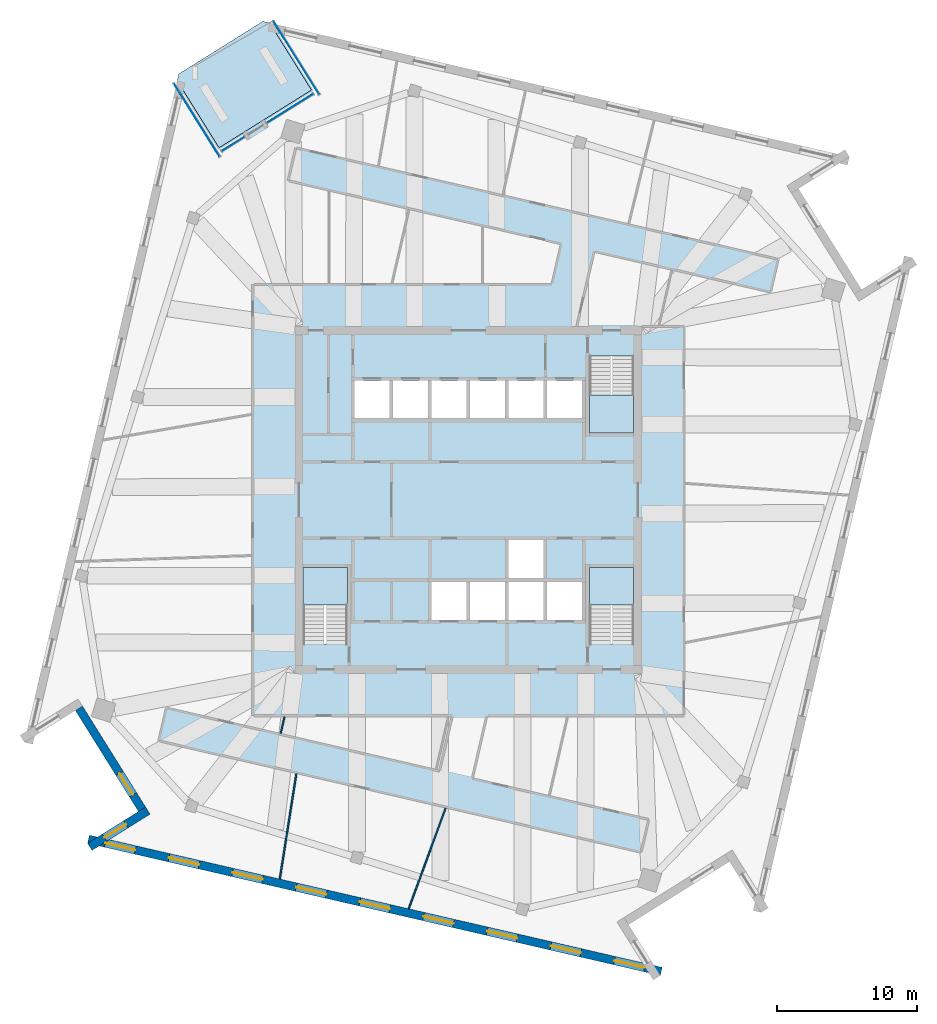
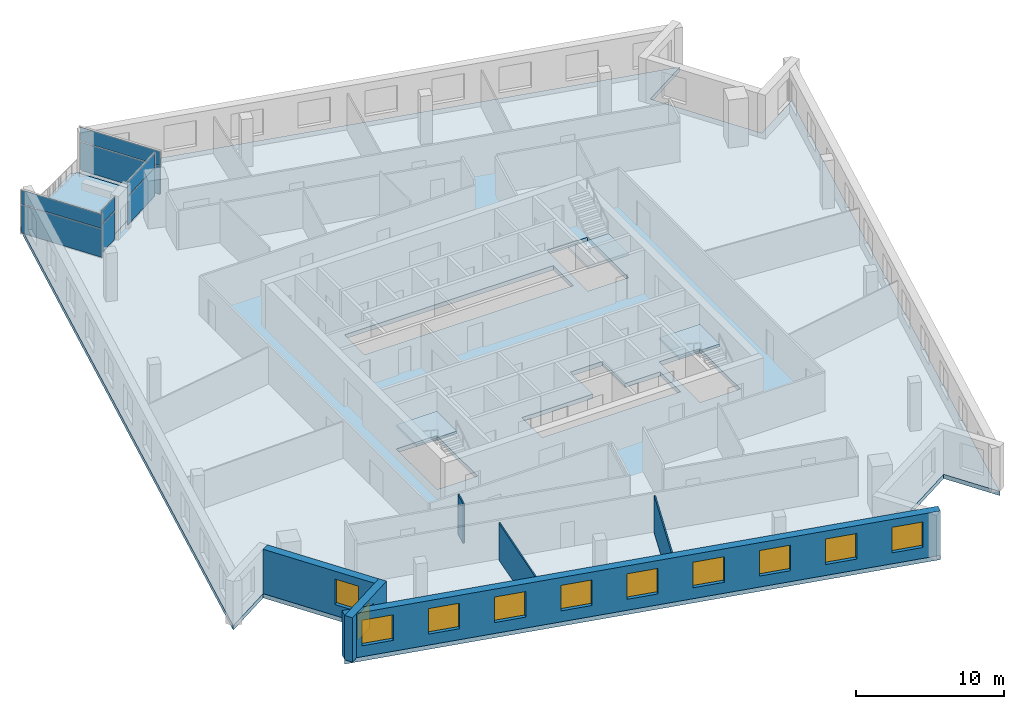
# One storey, part 5 of 14: 11 windows, 8 plates, 6 walls, 5 slabs, 11 openings, 7 elements without a shape of their own.
"""IFC4 building model written with IfcOpenShell, lengths in metres."""

from ifc_helpers import new_model, si_unit, direction, frame, frame_2d, origin, origin_2d, place, context, subcontext, project, spatial, polyline, rectangle, outline, extrude, material, layer, layer_set, type_object, element, fill, aggregate, save


model = new_model("IFC4")

# Units and contexts
model_context = context("Model", 3, precision=1e-05, world=origin(), true_north=direction((0.0, 1.0)))
body_context = subcontext(model_context, "Body", "Model", "MODEL_VIEW")
ifc_project = project(units=[si_unit("LENGTHUNIT", "METRE"), si_unit("AREAUNIT", "SQUARE_METRE"), si_unit("VOLUMEUNIT", "CUBIC_METRE"), si_unit("PLANEANGLEUNIT", "RADIAN"), si_unit("MASSUNIT", "GRAM", prefix="KILO")], contexts=[model_context])

# Site, building, storey
site_placement = place(None, origin())
site = spatial("IfcSite", under=ifc_project, at=site_placement, CompositionType="ELEMENT")
building_placement = place(site_placement, origin())
building = spatial("IfcBuilding", under=site, at=building_placement, Name="Dilmun Exchange Tower", CompositionType="ELEMENT")
storey_placement = place(building_placement, frame((0.0, 0.0, 332.5)))
storey = spatial("IfcBuildingStorey", under=building, at=storey_placement, Name="L79", CompositionType="ELEMENT", Elevation=332.5)

# Stair, slab
ifc_material_1 = material(Name="Concrete C40/50", Category="concrete")
stair_type = type_object("IfcStairType", Name="Exit stair 1500 half-turn", PredefinedType="HALF_TURN_STAIR", material=ifc_material_1)
stair_1_placement = place(storey_placement, origin())
stair_1 = element("IfcStair", 1, at=stair_1_placement, inside=storey, type_object=stair_type, Name="L79 Protected exit stair ST1", PredefinedType="HALF_TURN_STAIR")
ifc_layer_1 = layer(ifc_material_1, 0.199951171875)
ifc_layer_set_1 = layer_set([ifc_layer_1], Name="Concrete C40/50")
slab_type_1 = type_object("IfcSlabType", Name="Exit stair landing 200", PredefinedType="LANDING", material=ifc_layer_set_1)
slab_1_placement = place(storey_placement, frame((0.0, 0.0, 1.800048828125)))
slab_1 = element("IfcSlab", 2, at=slab_1_placement, type_object=slab_type_1, Name="ST1 landing 1", PredefinedType="LANDING", context=body_context, shape_type="SweptSolid", body=[
    extrude(outline(polyline([(8.64990234375, 7.5), (8.64990234375, 4.800048828125), (11.800048828125, 4.800048828125), (11.800048828125, 7.5), (8.64990234375, 7.5)])), origin(), (0.0, 0.0, 1.0), 0.199951171875),
])
aggregate(stair_1, [slab_1])

stair_2_placement = place(storey_placement, origin())
stair_2 = element("IfcStair", 3, at=stair_2_placement, inside=storey, type_object=stair_type, Name="L79 Protected exit stair ST2", PredefinedType="HALF_TURN_STAIR")
slab_2_placement = place(storey_placement, frame((0.0, 0.0, 1.800048828125)))
slab_2 = element("IfcSlab", 4, at=slab_2_placement, type_object=slab_type_1, Name="ST2 landing 1", PredefinedType="LANDING", context=body_context, shape_type="SweptSolid", body=[
    extrude(outline(polyline([(-8.64990234375, -7.5), (-8.64990234375, -4.800048828125), (-11.800048828125, -4.800048828125), (-11.800048828125, -7.5), (-8.64990234375, -7.5)])), origin(), (0.0, 0.0, 1.0), 0.199951171875),
])
aggregate(stair_2, [slab_2])

stair_3_placement = place(storey_placement, origin())
stair_3 = element("IfcStair", 5, at=stair_3_placement, inside=storey, type_object=stair_type, Name="L79 Protected exit stair ST3", PredefinedType="HALF_TURN_STAIR")
slab_3_placement = place(storey_placement, frame((0.0, 0.0, 1.800048828125)))
slab_3 = element("IfcSlab", 6, at=slab_3_placement, type_object=slab_type_1, Name="ST3 landing 1", PredefinedType="LANDING", context=body_context, shape_type="SweptSolid", body=[
    extrude(outline(polyline([(11.800048828125, -7.5), (11.800048828125, -4.800048828125), (8.64990234375, -4.800048828125), (8.64990234375, -7.5), (11.800048828125, -7.5)])), origin(), (0.0, 0.0, 1.0), 0.199951171875),
])
aggregate(stair_3, [slab_3])

# Curtain wall, plates
ifc_material_2 = material(Name="Anodised aluminium and clear glass", Category="aluminium")
curtain_wall_type = type_object("IfcCurtainWallType", Name="Garden corner glazing", PredefinedType="NOTDEFINED", material=ifc_material_2)
curtain_wall_1_placement = place(storey_placement, origin())
curtain_wall_1 = element("IfcCurtainWall", 7, at=curtain_wall_1_placement, inside=storey, type_object=curtain_wall_type, Name="Garden corner glazing run GC1.1", PredefinedType="NOTDEFINED")
ifc_material_3 = material(Name="Clear glass", Category="glass")
ifc_layer_2 = layer(ifc_material_3, 0.028076171875)
ifc_layer_set_2 = layer_set([ifc_layer_2], Name="Clear glass")
plate_type = type_object("IfcPlateType", Name="Garden corner glazing glass panel 28", PredefinedType="CURTAIN_PANEL", material=ifc_layer_set_2)
plate_1_placement = place(storey_placement, frame((-12.291015625, 31.577880859375, 0.06005859375), z_axis=(0.0, 0.0, 1.0), x_axis=(0.529916913426, -0.8480495651, 0.0)))
plate_1 = element("IfcPlate", 8, at=plate_1_placement, type_object=plate_type, Name="GC1.1 panel 1.1", PredefinedType="CURTAIN_PANEL", context=body_context, shape_type="SweptSolid", body=[
    extrude(rectangle(XDim=6.12646484375, YDim=0.028076171875, at=origin_2d()), origin(), (0.0, 0.0, 1.0), 2.31005859375),
])
plate_2_placement = place(storey_placement, frame((-12.291015625, 31.577880859375, 2.43017578125), z_axis=(0.0, 0.0, 1.0), x_axis=(0.529916913426, -0.8480495651, 0.0)))
plate_2 = element("IfcPlate", 9, at=plate_2_placement, type_object=plate_type, Name="GC1.1 panel 1.2", PredefinedType="CURTAIN_PANEL", context=body_context, shape_type="SweptSolid", body=[
    extrude(rectangle(XDim=6.12646484375, YDim=0.028076171875, at=origin_2d()), origin(), (0.0, 0.0, 1.0), 1.159912109375),
])
aggregate(curtain_wall_1, [plate_1, plate_2])

curtain_wall_2_placement = place(storey_placement, origin())
curtain_wall_2 = element("IfcCurtainWall", 10, at=curtain_wall_2_placement, inside=storey, type_object=curtain_wall_type, Name="Garden corner glazing run GC2.1", PredefinedType="NOTDEFINED")
plate_3_placement = place(storey_placement, frame((-12.74072265625, 27.9677734375, 0.06005859375), z_axis=(0.0, 0.0, 1.0), x_axis=(-0.848044776187, -0.529924577258, 0.0)))
plate_3 = element("IfcPlate", 11, at=plate_3_placement, type_object=plate_type, Name="GC2.1 panel 1.1", PredefinedType="CURTAIN_PANEL", context=body_context, shape_type="SweptSolid", body=[
    extrude(rectangle(XDim=3.869140625, YDim=0.028076171875, at=origin_2d()), origin(), (0.0, 0.0, 1.0), 2.31005859375),
])
plate_4_placement = place(storey_placement, frame((-12.74072265625, 27.9677734375, 2.43017578125), z_axis=(0.0, 0.0, 1.0), x_axis=(-0.848044776187, -0.529924577258, 0.0)))
plate_4 = element("IfcPlate", 12, at=plate_4_placement, type_object=plate_type, Name="GC2.1 panel 1.2", PredefinedType="CURTAIN_PANEL", context=body_context, shape_type="SweptSolid", body=[
    extrude(rectangle(XDim=3.869140625, YDim=0.028076171875, at=origin_2d()), origin(), (0.0, 0.0, 1.0), 1.159912109375),
])
aggregate(curtain_wall_2, [plate_3, plate_4])

curtain_wall_3_placement = place(storey_placement, origin())
curtain_wall_3 = element("IfcCurtainWall", 13, at=curtain_wall_3_placement, inside=storey, type_object=curtain_wall_type, Name="Garden corner glazing run GC2.3", PredefinedType="NOTDEFINED")
plate_5_placement = place(storey_placement, frame((-16.80224609375, 25.429931640625, 0.06005859375), z_axis=(0.0, 0.0, 1.0), x_axis=(-0.848068905763, -0.529885960447, 0.0)))
plate_5 = element("IfcPlate", 14, at=plate_5_placement, type_object=plate_type, Name="GC2.3 panel 1.1", PredefinedType="CURTAIN_PANEL", context=body_context, shape_type="SweptSolid", body=[
    extrude(rectangle(XDim=1.869140625, YDim=0.028076171875, at=origin_2d()), origin(), (0.0, 0.0, 1.0), 2.31005859375),
])
plate_6_placement = place(storey_placement, frame((-16.80224609375, 25.429931640625, 2.43017578125), z_axis=(0.0, 0.0, 1.0), x_axis=(-0.848068905763, -0.529885960447, 0.0)))
plate_6 = element("IfcPlate", 15, at=plate_6_placement, type_object=plate_type, Name="GC2.3 panel 1.2", PredefinedType="CURTAIN_PANEL", context=body_context, shape_type="SweptSolid", body=[
    extrude(rectangle(XDim=1.869140625, YDim=0.028076171875, at=origin_2d()), origin(), (0.0, 0.0, 1.0), 1.159912109375),
])
aggregate(curtain_wall_3, [plate_5, plate_6])

curtain_wall_4_placement = place(storey_placement, origin())
curtain_wall_4 = element("IfcCurtainWall", 16, at=curtain_wall_4_placement, inside=storey, type_object=curtain_wall_type, Name="Garden corner glazing run GC3.1", PredefinedType="NOTDEFINED")
plate_7_placement = place(storey_placement, frame((-19.39599609375, 27.13818359375, 0.06005859375), z_axis=(0.0, 0.0, 1.0), x_axis=(-0.529916913426, 0.8480495651, 0.0)))
plate_7 = element("IfcPlate", 17, at=plate_7_placement, type_object=plate_type, Name="GC3.1 panel 1.1", PredefinedType="CURTAIN_PANEL", context=body_context, shape_type="SweptSolid", body=[
    extrude(rectangle(XDim=6.12646484375, YDim=0.028076171875, at=origin_2d()), origin(), (0.0, 0.0, 1.0), 2.31005859375),
])
plate_8_placement = place(storey_placement, frame((-19.39599609375, 27.13818359375, 2.43017578125), z_axis=(0.0, 0.0, 1.0), x_axis=(-0.529916913426, 0.8480495651, 0.0)))
plate_8 = element("IfcPlate", 18, at=plate_8_placement, type_object=plate_type, Name="GC3.1 panel 1.2", PredefinedType="CURTAIN_PANEL", context=body_context, shape_type="SweptSolid", body=[
    extrude(rectangle(XDim=6.12646484375, YDim=0.028076171875, at=origin_2d()), origin(), (0.0, 0.0, 1.0), 1.159912109375),
])
aggregate(curtain_wall_4, [plate_7, plate_8])

# Slabs
ifc_layer_3 = layer(ifc_material_1, 0.35009765625)
ifc_layer_set_3 = layer_set([ifc_layer_3], Name="Concrete C40/50")
slab_type_2 = type_object("IfcSlabType", Name="RC floor slab 350", PredefinedType="FLOOR", material=ifc_layer_set_3)
slab_4_placement = place(storey_placement, frame((0.0, 0.0, -0.35009765625)))
element("IfcSlab", 19, at=slab_4_placement, inside=storey, type_object=slab_type_2, Name="Floor slab", PredefinedType="FLOOR", context=body_context, shape_type="SweptSolid", body=[
    extrude(outline(polyline([(23.56591796875, 22.238525390625), (28.070068359375, 15.030029296875), (31.70458984375, 17.301025390625), (20.91162109375, -29.448486328125), (18.640380859375, -25.814208984375), (11.43212890625, -30.318359375), (13.703125, -33.95263671875), (-27.2001953125, -24.509521484375), (-23.56591796875, -22.238525390625), (-28.070068359375, -15.030029296875), (-31.70458984375, -17.301025390625), (-20.796630859375, 29.94580078125), (-17.804443359375, 25.1572265625), (-11.208251953125, 29.279052734375), (-14.200439453125, 34.0673828125), (27.2001953125, 24.509521484375), (23.56591796875, 22.238525390625)]), holes=[polyline([(-8.64990234375, -4.800048828125), (-11.800048828125, -4.800048828125), (-11.800048828125, -10.294921875), (-8.64990234375, -10.294921875), (-8.64990234375, -4.800048828125)]), polyline([(11.800048828125, -4.800048828125), (8.64990234375, -4.800048828125), (8.64990234375, -10.294921875), (11.800048828125, -10.294921875), (11.800048828125, -4.800048828125)]), polyline([(2.875, -5.85009765625), (-2.625, -5.85009765625), (-2.625, -8.550048828125), (8.125, -8.550048828125), (8.125, -5.85009765625), (5.375, -5.85009765625), (5.375, -2.85009765625), (2.875, -2.85009765625), (2.875, -5.85009765625)]), polyline([(8.125, 5.85009765625), (8.125, 8.550048828125), (-8.125, 8.550048828125), (-8.125, 5.85009765625), (8.125, 5.85009765625)]), polyline([(8.64990234375, 10.294921875), (8.64990234375, 4.800048828125), (11.800048828125, 4.800048828125), (11.800048828125, 10.294921875), (8.64990234375, 10.294921875)])]), origin(), (0.0, 0.0, 1.0), 0.35009765625),
])
ifc_layer_4 = layer(ifc_material_1, 0.300048828125)
ifc_layer_set_4 = layer_set([ifc_layer_4], Name="Concrete C40/50")
slab_type_3 = type_object("IfcSlabType", Name="RC garden terrace slab 300", PredefinedType="FLOOR", material=ifc_layer_set_4)
slab_5_placement = place(storey_placement, frame((0.0, 0.0, -0.300048828125)))
element("IfcSlab", 20, at=slab_5_placement, inside=storey, type_object=slab_type_3, Name="Garden terrace slab", PredefinedType="FLOOR", context=body_context, shape_type="SweptSolid", body=[
    extrude(outline(polyline([(-17.804443359375, 25.1572265625), (-20.796630859375, 29.94580078125), (-20.68408203125, 30.432861328125), (-14.6875, 34.179931640625), (-14.200439453125, 34.0673828125), (-11.208251953125, 29.279052734375), (-17.804443359375, 25.1572265625)])), origin(), (0.0, 0.0, 1.0), 0.300048828125),
])

# Walls
ifc_material_4 = material(Name="Partition 100")
ifc_layer_5 = layer(ifc_material_4, 0.10009765625)
ifc_layer_set_5 = layer_set([ifc_layer_5], Name="Partition 100")
wall_type_1 = type_object("IfcWallType", Name="Partition 100", PredefinedType="PARTITIONING", material=ifc_layer_set_5)
wall_1_placement = place(storey_placement, frame((-13.47119140625, -27.061279296875, 0.0), z_axis=(0.0, 0.0, 1.0), x_axis=(0.155249458532, 0.987875298621, 0.0)))
element("IfcWall", 21, at=wall_1_placement, inside=storey, type_object=wall_type_1, Name="Partition", PredefinedType="PARTITIONING", context=body_context, shape_type="SweptSolid", body=[
    extrude(rectangle(XDim=7.61279296875, YDim=0.10009765625, at=frame_2d((3.806396484375, 0.0))), origin(), (0.0, 0.0, 1.0), 3.050048828125),
])
wall_2_placement = place(storey_placement, frame((-13.408203125, -16.661865234375, 0.0), z_axis=(0.0, 0.0, 1.0), x_axis=(0.22478562249, 0.974408242946, 0.0)))
element("IfcWall", 22, at=wall_2_placement, inside=storey, type_object=wall_type_1, Name="Partition", PredefinedType="PARTITIONING", context=body_context, shape_type="SweptSolid", body=[
    extrude(rectangle(XDim=1.20654296875, YDim=0.10009765625, at=frame_2d((0.603271484375, 0.0))), origin(), (0.0, 0.0, 1.0), 3.25),
])
wall_3_placement = place(storey_placement, frame((-4.267822265625, -29.18603515625, 0.0), z_axis=(0.0, 0.0, 1.0), x_axis=(0.345023473148, 0.938594056543, 0.0)))
element("IfcWall", 23, at=wall_3_placement, inside=storey, type_object=wall_type_1, Name="Partition", PredefinedType="PARTITIONING", context=body_context, shape_type="SweptSolid", body=[
    extrude(rectangle(XDim=7.64990234375, YDim=0.10009765625, at=frame_2d((3.824951171875, 0.0))), origin(), (0.0, 0.0, 1.0), 3.050048828125),
])

# Wall, opening, window
ifc_material_5 = material(Name="Precast concrete C50/60", Category="concrete")
ifc_layer_6 = layer(ifc_material_5, 0.60009765625)
ifc_layer_set_6 = layer_set([ifc_layer_6], Name="Precast concrete C50/60")
wall_type_2 = type_object("IfcWallType", Name="Precast stone-clad wall 600", PredefinedType="STANDARD", material=ifc_layer_set_6)
wall_4_placement = place(storey_placement, frame((-27.815673828125, -14.87109375, 0.0), z_axis=(0.0, 0.0, 1.0), x_axis=(0.529921485123, -0.848046708387, 0.0)))
wall_4 = element("IfcWall", 24, at=wall_4_placement, inside=storey, type_object=wall_type_2, Name="Facade wall L79-05", PredefinedType="STANDARD", context=body_context, shape_type="SweptSolid", body=[
    extrude(rectangle(XDim=8.5, YDim=0.60009765625, at=frame_2d((4.25, 0.0))), origin(), (0.0, 0.0, 1.0), 3.64990234375),
])
opening_1_placement = place(wall_4_placement, frame((5.47509765625, 0.0, 0.89990234375)))
opening_1 = element("IfcOpeningElement", 25, at=opening_1_placement, cuts=wall_4, Name="Opening W180-210", PredefinedType="OPENING", context=body_context, shape_type="SweptSolid", body=[
    extrude(rectangle(XDim=1.800048828125, YDim=2.10009765625, at=frame_2d((0.89990234375, 1.050048828125))), frame((0.0, 0.31005859375, 0.0), z_axis=(0.0, -1.0, 0.0), x_axis=(1.0, 0.0, 0.0)), (0.0, 0.0, 1.0), 0.6201171875),
])
ifc_material_6 = material(Name="Clear low-emissivity glass in aluminium frame", Category="aluminium")
window_type_1 = type_object("IfcWindowType", Name="Punched window 1800 x 2100", PartitioningType="DOUBLE_PANEL_VERTICAL", PredefinedType="WINDOW", material=ifc_material_6)
window_1_placement = place(opening_1_placement, origin())
window_1 = element("IfcWindow", 26, at=window_1_placement, inside=storey, type_object=window_type_1, Name="Window 6.2", OverallHeight=2.10009765625, OverallWidth=1.800048828125, PartitioningType="SINGLE_PANEL", PredefinedType="WINDOW", context=body_context, shape_type="SweptSolid", body=[
    extrude(rectangle(XDim=1.800048828125, YDim=2.10009765625, at=frame_2d((0.89990234375, 1.050048828125))), frame((0.0, 0.030029296875, 0.0), z_axis=(0.0, -1.0, 0.0), x_axis=(1.0, 0.0, 0.0)), (0.0, 0.0, 1.0), 0.06005859375),
])
fill(opening_1, window_1)

wall_5_placement = place(storey_placement, frame((-22.89794921875, -22.1748046875, 0.0), z_axis=(0.0, 0.0, 1.0), x_axis=(-0.848040410856, -0.529931563086, 0.0)))
wall_5 = element("IfcWall", 27, at=wall_5_placement, inside=storey, type_object=wall_type_2, Name="Facade wall L79-06", PredefinedType="STANDARD", context=body_context, shape_type="SweptSolid", body=[
    extrude(rectangle(XDim=4.8857421875, YDim=0.60009765625, at=frame_2d((2.44287109375, 0.0))), origin(), (0.0, 0.0, 1.0), 3.64990234375),
])
opening_2_placement = place(wall_5_placement, frame((1.8427734375, 0.0, 0.89990234375)))
opening_2 = element("IfcOpeningElement", 28, at=opening_2_placement, cuts=wall_5, Name="Opening W180-210", PredefinedType="OPENING", context=body_context, shape_type="SweptSolid", body=[
    extrude(rectangle(XDim=1.800048828125, YDim=2.10009765625, at=frame_2d((0.89990234375, 1.050048828125))), frame((0.0, 0.31005859375, 0.0), z_axis=(0.0, -1.0, 0.0), x_axis=(1.0, 0.0, 0.0)), (0.0, 0.0, 1.0), 0.6201171875),
])
window_2_placement = place(opening_2_placement, origin())
window_2 = element("IfcWindow", 29, at=window_2_placement, inside=storey, type_object=window_type_1, Name="Window 7.1", OverallHeight=2.10009765625, OverallWidth=1.800048828125, PartitioningType="SINGLE_PANEL", PredefinedType="WINDOW", context=body_context, shape_type="SweptSolid", body=[
    extrude(rectangle(XDim=1.800048828125, YDim=2.10009765625, at=frame_2d((0.89990234375, 1.050048828125))), frame((0.0, 0.030029296875, 0.0), z_axis=(0.0, -1.0, 0.0), x_axis=(1.0, 0.0, 0.0)), (0.0, 0.0, 1.0), 0.06005859375),
])
fill(opening_2, window_2)

# Wall, openings, windows
wall_6_placement = place(storey_placement, frame((-27.1328125, -24.21728515625, 0.0), z_axis=(0.0, 0.0, 1.0), x_axis=(0.974370901945, -0.224947428174, 0.0)))
wall_6 = element("IfcWall", 30, at=wall_6_placement, inside=storey, type_object=wall_type_2, Name="Facade wall L79-07", PredefinedType="STANDARD", context=body_context, shape_type="SweptSolid", body=[
    extrude(rectangle(XDim=41.979248046875, YDim=0.60009765625, at=frame_2d((20.98974609375, 0.0))), origin(), (0.0, 0.0, 1.0), 3.64990234375),
])
opening_3_placement = place(wall_6_placement, frame((1.232177734375, 0.0, 0.89990234375)))
opening_3 = element("IfcOpeningElement", 31, at=opening_3_placement, cuts=wall_6, Name="Opening W220-210", PredefinedType="OPENING", context=body_context, shape_type="SweptSolid", body=[
    extrude(rectangle(XDim=2.199951171875, YDim=2.10009765625, at=frame_2d((1.10009765625, 1.050048828125))), frame((0.0, 0.31005859375, 0.0), z_axis=(0.0, -1.0, 0.0), x_axis=(1.0, 0.0, 0.0)), (0.0, 0.0, 1.0), 0.6201171875),
])
opening_4_placement = place(wall_6_placement, frame((5.896484375, 0.0, 0.89990234375)))
opening_4 = element("IfcOpeningElement", 32, at=opening_4_placement, cuts=wall_6, Name="Opening W220-210", PredefinedType="OPENING", context=body_context, shape_type="SweptSolid", body=[
    extrude(rectangle(XDim=2.199951171875, YDim=2.10009765625, at=frame_2d((1.10009765625, 1.050048828125))), frame((0.0, 0.31005859375, 0.0), z_axis=(0.0, -1.0, 0.0), x_axis=(1.0, 0.0, 0.0)), (0.0, 0.0, 1.0), 0.6201171875),
])
opening_5_placement = place(wall_6_placement, frame((10.560791015625, 0.0, 0.89990234375)))
opening_5 = element("IfcOpeningElement", 33, at=opening_5_placement, cuts=wall_6, Name="Opening W220-210", PredefinedType="OPENING", context=body_context, shape_type="SweptSolid", body=[
    extrude(rectangle(XDim=2.199951171875, YDim=2.10009765625, at=frame_2d((1.10009765625, 1.050048828125))), frame((0.0, 0.31005859375, 0.0), z_axis=(0.0, -1.0, 0.0), x_axis=(1.0, 0.0, 0.0)), (0.0, 0.0, 1.0), 0.6201171875),
])
opening_6_placement = place(wall_6_placement, frame((15.22509765625, 0.0, 0.89990234375)))
opening_6 = element("IfcOpeningElement", 34, at=opening_6_placement, cuts=wall_6, Name="Opening W220-210", PredefinedType="OPENING", context=body_context, shape_type="SweptSolid", body=[
    extrude(rectangle(XDim=2.199951171875, YDim=2.10009765625, at=frame_2d((1.10009765625, 1.050048828125))), frame((0.0, 0.31005859375, 0.0), z_axis=(0.0, -1.0, 0.0), x_axis=(1.0, 0.0, 0.0)), (0.0, 0.0, 1.0), 0.6201171875),
])
opening_7_placement = place(wall_6_placement, frame((19.8896484375, 0.0, 0.89990234375)))
opening_7 = element("IfcOpeningElement", 35, at=opening_7_placement, cuts=wall_6, Name="Opening W220-210", PredefinedType="OPENING", context=body_context, shape_type="SweptSolid", body=[
    extrude(rectangle(XDim=2.199951171875, YDim=2.10009765625, at=frame_2d((1.10009765625, 1.050048828125))), frame((0.0, 0.31005859375, 0.0), z_axis=(0.0, -1.0, 0.0), x_axis=(1.0, 0.0, 0.0)), (0.0, 0.0, 1.0), 0.6201171875),
])
opening_8_placement = place(wall_6_placement, frame((24.553955078125, 0.0, 0.89990234375)))
opening_8 = element("IfcOpeningElement", 36, at=opening_8_placement, cuts=wall_6, Name="Opening W220-210", PredefinedType="OPENING", context=body_context, shape_type="SweptSolid", body=[
    extrude(rectangle(XDim=2.199951171875, YDim=2.10009765625, at=frame_2d((1.10009765625, 1.050048828125))), frame((0.0, 0.31005859375, 0.0), z_axis=(0.0, -1.0, 0.0), x_axis=(1.0, 0.0, 0.0)), (0.0, 0.0, 1.0), 0.6201171875),
])
opening_9_placement = place(wall_6_placement, frame((29.21826171875, 0.0, 0.89990234375)))
opening_9 = element("IfcOpeningElement", 37, at=opening_9_placement, cuts=wall_6, Name="Opening W220-210", PredefinedType="OPENING", context=body_context, shape_type="SweptSolid", body=[
    extrude(rectangle(XDim=2.199951171875, YDim=2.10009765625, at=frame_2d((1.10009765625, 1.050048828125))), frame((0.0, 0.31005859375, 0.0), z_axis=(0.0, -1.0, 0.0), x_axis=(1.0, 0.0, 0.0)), (0.0, 0.0, 1.0), 0.6201171875),
])
opening_10_placement = place(wall_6_placement, frame((33.8828125, 0.0, 0.89990234375)))
opening_10 = element("IfcOpeningElement", 38, at=opening_10_placement, cuts=wall_6, Name="Opening W220-210", PredefinedType="OPENING", context=body_context, shape_type="SweptSolid", body=[
    extrude(rectangle(XDim=2.199951171875, YDim=2.10009765625, at=frame_2d((1.10009765625, 1.050048828125))), frame((0.0, 0.31005859375, 0.0), z_axis=(0.0, -1.0, 0.0), x_axis=(1.0, 0.0, 0.0)), (0.0, 0.0, 1.0), 0.6201171875),
])
opening_11_placement = place(wall_6_placement, frame((38.547119140625, 0.0, 0.89990234375)))
opening_11 = element("IfcOpeningElement", 39, at=opening_11_placement, cuts=wall_6, Name="Opening W220-210", PredefinedType="OPENING", context=body_context, shape_type="SweptSolid", body=[
    extrude(rectangle(XDim=2.199951171875, YDim=2.10009765625, at=frame_2d((1.10009765625, 1.050048828125))), frame((0.0, 0.31005859375, 0.0), z_axis=(0.0, -1.0, 0.0), x_axis=(1.0, 0.0, 0.0)), (0.0, 0.0, 1.0), 0.6201171875),
])
window_type_2 = type_object("IfcWindowType", Name="Punched window 2200 x 2100", PartitioningType="DOUBLE_PANEL_VERTICAL", PredefinedType="WINDOW", material=ifc_material_6)
window_3_placement = place(opening_3_placement, origin())
window_3 = element("IfcWindow", 40, at=window_3_placement, inside=storey, type_object=window_type_2, Name="Window 8.1", OverallHeight=2.10009765625, OverallWidth=2.199951171875, PartitioningType="SINGLE_PANEL", PredefinedType="WINDOW", context=body_context, shape_type="SweptSolid", body=[
    extrude(rectangle(XDim=2.199951171875, YDim=2.10009765625, at=frame_2d((1.10009765625, 1.050048828125))), frame((0.0, 0.030029296875, 0.0), z_axis=(0.0, -1.0, 0.0), x_axis=(1.0, 0.0, 0.0)), (0.0, 0.0, 1.0), 0.06005859375),
])
fill(opening_3, window_3)
window_4_placement = place(opening_4_placement, origin())
window_4 = element("IfcWindow", 41, at=window_4_placement, inside=storey, type_object=window_type_2, Name="Window 8.2", OverallHeight=2.10009765625, OverallWidth=2.199951171875, PartitioningType="SINGLE_PANEL", PredefinedType="WINDOW", context=body_context, shape_type="SweptSolid", body=[
    extrude(rectangle(XDim=2.199951171875, YDim=2.10009765625, at=frame_2d((1.10009765625, 1.050048828125))), frame((0.0, 0.030029296875, 0.0), z_axis=(0.0, -1.0, 0.0), x_axis=(1.0, 0.0, 0.0)), (0.0, 0.0, 1.0), 0.06005859375),
])
fill(opening_4, window_4)
window_5_placement = place(opening_5_placement, origin())
window_5 = element("IfcWindow", 42, at=window_5_placement, inside=storey, type_object=window_type_2, Name="Window 8.3", OverallHeight=2.10009765625, OverallWidth=2.199951171875, PartitioningType="SINGLE_PANEL", PredefinedType="WINDOW", context=body_context, shape_type="SweptSolid", body=[
    extrude(rectangle(XDim=2.199951171875, YDim=2.10009765625, at=frame_2d((1.10009765625, 1.050048828125))), frame((0.0, 0.030029296875, 0.0), z_axis=(0.0, -1.0, 0.0), x_axis=(1.0, 0.0, 0.0)), (0.0, 0.0, 1.0), 0.06005859375),
])
fill(opening_5, window_5)
window_6_placement = place(opening_6_placement, origin())
window_6 = element("IfcWindow", 43, at=window_6_placement, inside=storey, type_object=window_type_2, Name="Window 8.4", OverallHeight=2.10009765625, OverallWidth=2.199951171875, PartitioningType="SINGLE_PANEL", PredefinedType="WINDOW", context=body_context, shape_type="SweptSolid", body=[
    extrude(rectangle(XDim=2.199951171875, YDim=2.10009765625, at=frame_2d((1.10009765625, 1.050048828125))), frame((0.0, 0.030029296875, 0.0), z_axis=(0.0, -1.0, 0.0), x_axis=(1.0, 0.0, 0.0)), (0.0, 0.0, 1.0), 0.06005859375),
])
fill(opening_6, window_6)
window_7_placement = place(opening_7_placement, origin())
window_7 = element("IfcWindow", 44, at=window_7_placement, inside=storey, type_object=window_type_2, Name="Window 8.5", OverallHeight=2.10009765625, OverallWidth=2.199951171875, PartitioningType="SINGLE_PANEL", PredefinedType="WINDOW", context=body_context, shape_type="SweptSolid", body=[
    extrude(rectangle(XDim=2.199951171875, YDim=2.10009765625, at=frame_2d((1.10009765625, 1.050048828125))), frame((0.0, 0.030029296875, 0.0), z_axis=(0.0, -1.0, 0.0), x_axis=(1.0, 0.0, 0.0)), (0.0, 0.0, 1.0), 0.06005859375),
])
fill(opening_7, window_7)
window_8_placement = place(opening_8_placement, origin())
window_8 = element("IfcWindow", 45, at=window_8_placement, inside=storey, type_object=window_type_2, Name="Window 8.6", OverallHeight=2.10009765625, OverallWidth=2.199951171875, PartitioningType="SINGLE_PANEL", PredefinedType="WINDOW", context=body_context, shape_type="SweptSolid", body=[
    extrude(rectangle(XDim=2.199951171875, YDim=2.10009765625, at=frame_2d((1.10009765625, 1.050048828125))), frame((0.0, 0.030029296875, 0.0), z_axis=(0.0, -1.0, 0.0), x_axis=(1.0, 0.0, 0.0)), (0.0, 0.0, 1.0), 0.06005859375),
])
fill(opening_8, window_8)
window_9_placement = place(opening_9_placement, origin())
window_9 = element("IfcWindow", 46, at=window_9_placement, inside=storey, type_object=window_type_2, Name="Window 8.7", OverallHeight=2.10009765625, OverallWidth=2.199951171875, PartitioningType="SINGLE_PANEL", PredefinedType="WINDOW", context=body_context, shape_type="SweptSolid", body=[
    extrude(rectangle(XDim=2.199951171875, YDim=2.10009765625, at=frame_2d((1.10009765625, 1.050048828125))), frame((0.0, 0.030029296875, 0.0), z_axis=(0.0, -1.0, 0.0), x_axis=(1.0, 0.0, 0.0)), (0.0, 0.0, 1.0), 0.06005859375),
])
fill(opening_9, window_9)
window_10_placement = place(opening_10_placement, origin())
window_10 = element("IfcWindow", 47, at=window_10_placement, inside=storey, type_object=window_type_2, Name="Window 8.8", OverallHeight=2.10009765625, OverallWidth=2.199951171875, PartitioningType="SINGLE_PANEL", PredefinedType="WINDOW", context=body_context, shape_type="SweptSolid", body=[
    extrude(rectangle(XDim=2.199951171875, YDim=2.10009765625, at=frame_2d((1.10009765625, 1.050048828125))), frame((0.0, 0.030029296875, 0.0), z_axis=(0.0, -1.0, 0.0), x_axis=(1.0, 0.0, 0.0)), (0.0, 0.0, 1.0), 0.06005859375),
])
fill(opening_10, window_10)
window_11_placement = place(opening_11_placement, origin())
window_11 = element("IfcWindow", 48, at=window_11_placement, inside=storey, type_object=window_type_2, Name="Window 8.9", OverallHeight=2.10009765625, OverallWidth=2.199951171875, PartitioningType="SINGLE_PANEL", PredefinedType="WINDOW", context=body_context, shape_type="SweptSolid", body=[
    extrude(rectangle(XDim=2.199951171875, YDim=2.10009765625, at=frame_2d((1.10009765625, 1.050048828125))), frame((0.0, 0.030029296875, 0.0), z_axis=(0.0, -1.0, 0.0), x_axis=(1.0, 0.0, 0.0)), (0.0, 0.0, 1.0), 0.06005859375),
])
fill(opening_11, window_11)

save(model, "model.ifc")
